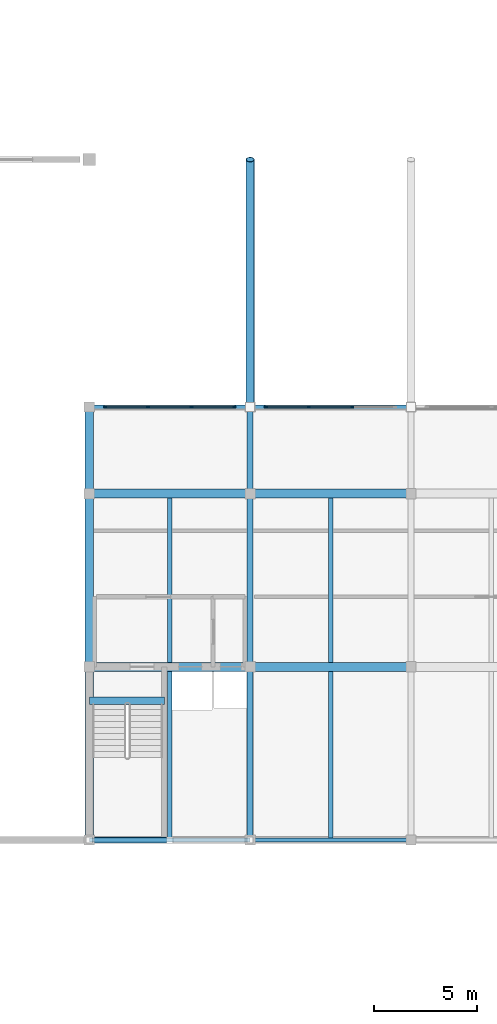
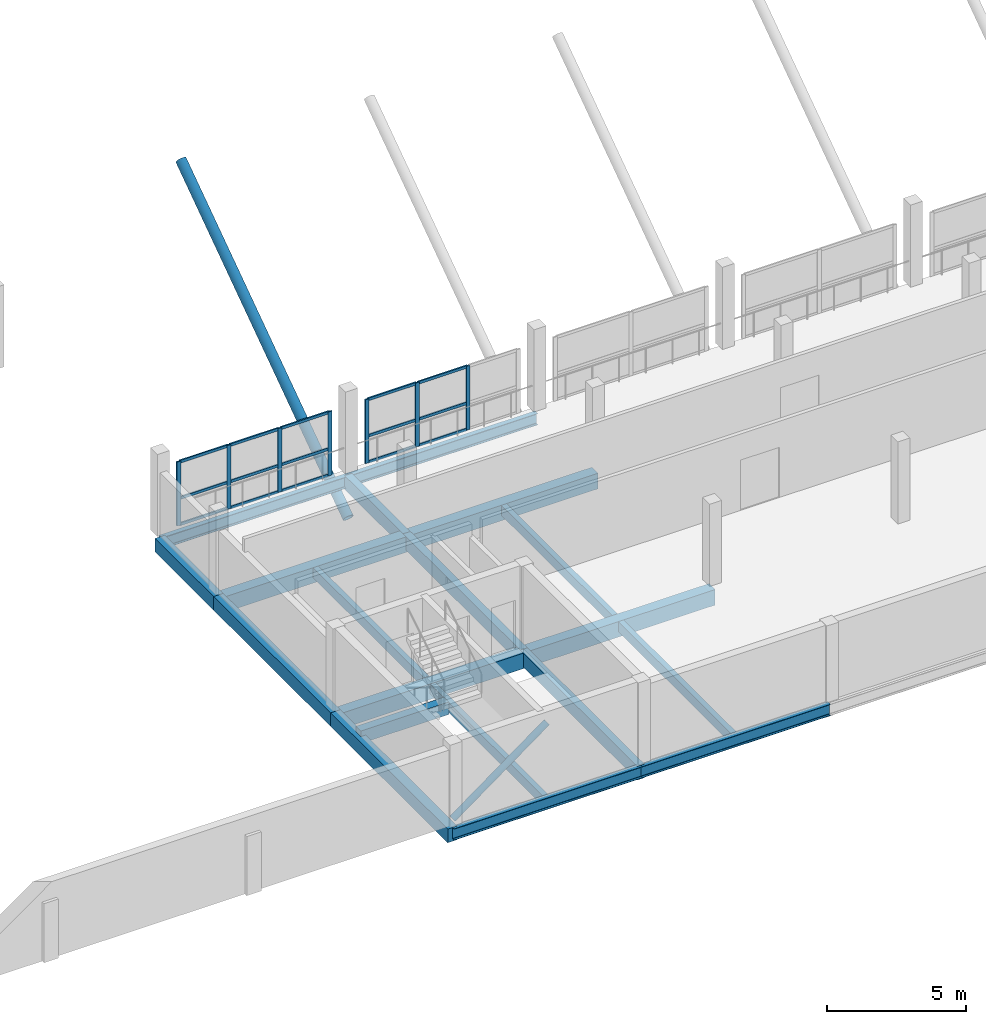
# One storey, part 25 of 51: 24 members, 19 beams, 2 elements without a shape of their own.
"""IFC4 building model written with IfcOpenShell, lengths in metres."""

from ifc_helpers import new_model, si_unit, direction, frame, origin, origin_2d, place, context, subcontext, project, spatial, rectangle, hollow_circle, i_section, extrude, material, material_profile, profile_set, type_object, element, aggregate, save


model = new_model("IFC4")

# Units and contexts
model_context = context("Model", 3, precision=1e-05, world=origin(), true_north=direction((0.0, 1.0)))
body_context = subcontext(model_context, "Body", "Model", "MODEL_VIEW")
ifc_project = project(units=[si_unit("LENGTHUNIT", "METRE"), si_unit("AREAUNIT", "SQUARE_METRE"), si_unit("VOLUMEUNIT", "CUBIC_METRE"), si_unit("PLANEANGLEUNIT", "RADIAN"), si_unit("MASSUNIT", "GRAM", prefix="KILO")], contexts=[model_context])

# Site, building, storey
site_placement = place(None, origin())
site = spatial("IfcSite", under=ifc_project, at=site_placement, CompositionType="ELEMENT")
building_placement = place(site_placement, origin())
building = spatial("IfcBuilding", under=site, at=building_placement, Name="Vharandega Faculty of Natural Sciences", CompositionType="ELEMENT")
storey_placement = place(building_placement, frame((0.0, 0.0, 14.39990234375)))
storey = spatial("IfcBuildingStorey", under=building, at=storey_placement, Name="L03", CompositionType="ELEMENT", Elevation=14.39990234375)

# Curtain wall, members
ifc_material_1 = material(Name="Aluminium and solar-control glass curtain wall", Category="aluminium")
curtain_wall_type_1 = type_object("IfcCurtainWallType", Name="Unitised Curtain Wall System CW-15", PredefinedType="NOTDEFINED", material=ifc_material_1)
curtain_wall_1_placement = place(storey_placement, origin())
curtain_wall_1 = element("IfcCurtainWall", 1, at=curtain_wall_1_placement, inside=storey, type_object=curtain_wall_type_1, Name="Curtain Wall CW-L03-014", PredefinedType="NOTDEFINED")
ifc_material_2 = material(Name="Thermally broken aluminium 6063-T6", Category="aluminium")
ifc_material_profile_1 = material_profile(ifc_material_2, rectangle(XDim=0.06005859375, YDim=0.159912109375, at=origin_2d()), Name="ALU 60x160")
ifc_profile_set_1 = profile_set([ifc_material_profile_1], Name="Thermally broken aluminium 6063-T6")
member_type_1 = type_object("IfcMemberType", Name="CW Mullion 60x160", PredefinedType="MULLION", material=ifc_profile_set_1)
member_1_placement = place(storey_placement, frame((115.570068359375, 85.0, 0.0), z_axis=(0.0, 0.0, 1.0), x_axis=(0.0, 1.0, 0.0)))
member_1 = element("IfcMember", 2, at=member_1_placement, type_object=member_type_1, Name="CW-15 mullion 1", PredefinedType="MULLION", context=body_context, shape_type="SweptSolid", body=[
    extrude(rectangle(XDim=0.06005859375, YDim=0.159912109375, at=origin_2d()), origin(), (0.0, 0.0, 1.0), 2.800048828125),
])
member_2_placement = place(storey_placement, frame((117.646728515625, 85.0, 0.0), z_axis=(0.0, 0.0, 1.0), x_axis=(0.0, 1.0, 0.0)))
member_2 = element("IfcMember", 3, at=member_2_placement, type_object=member_type_1, Name="CW-15 mullion 2", PredefinedType="MULLION", context=body_context, shape_type="SweptSolid", body=[
    extrude(rectangle(XDim=0.06005859375, YDim=0.159912109375, at=origin_2d()), origin(), (0.0, 0.0, 1.0), 2.800048828125),
])
member_3_placement = place(storey_placement, frame((119.75341796875, 85.0, 0.0), z_axis=(0.0, 0.0, 1.0), x_axis=(0.0, 1.0, 0.0)))
member_3 = element("IfcMember", 4, at=member_3_placement, type_object=member_type_1, Name="CW-15 mullion 3", PredefinedType="MULLION", context=body_context, shape_type="SweptSolid", body=[
    extrude(rectangle(XDim=0.06005859375, YDim=0.159912109375, at=origin_2d()), origin(), (0.0, 0.0, 1.0), 2.800048828125),
])
member_4_placement = place(storey_placement, frame((121.830078125, 85.0, 0.0), z_axis=(0.0, 0.0, 1.0), x_axis=(0.0, 1.0, 0.0)))
member_4 = element("IfcMember", 5, at=member_4_placement, type_object=member_type_1, Name="CW-15 mullion 4", PredefinedType="MULLION", context=body_context, shape_type="SweptSolid", body=[
    extrude(rectangle(XDim=0.06005859375, YDim=0.159912109375, at=origin_2d()), origin(), (0.0, 0.0, 1.0), 2.800048828125),
])

ifc_material_3 = material(Name="Aluminium and solar-control glass curtain wall", Category="aluminium")
curtain_wall_type_2 = type_object("IfcCurtainWallType", Name="Unitised Curtain Wall System CW-16", PredefinedType="NOTDEFINED", material=ifc_material_3)
curtain_wall_2_placement = place(storey_placement, origin())
curtain_wall_2 = element("IfcCurtainWall", 6, at=curtain_wall_2_placement, inside=storey, type_object=curtain_wall_type_2, Name="Curtain Wall CW-L03-015", PredefinedType="NOTDEFINED")
member_5_placement = place(storey_placement, frame((123.3701171875, 85.0, 0.0), z_axis=(0.0, 0.0, 1.0), x_axis=(0.0, 1.0, 0.0)))
member_5 = element("IfcMember", 7, at=member_5_placement, type_object=member_type_1, Name="CW-16 mullion 1", PredefinedType="MULLION", context=body_context, shape_type="SweptSolid", body=[
    extrude(rectangle(XDim=0.06005859375, YDim=0.159912109375, at=origin_2d()), origin(), (0.0, 0.0, 1.0), 2.800048828125),
])
member_6_placement = place(storey_placement, frame((125.44677734375, 85.0, 0.0), z_axis=(0.0, 0.0, 1.0), x_axis=(0.0, 1.0, 0.0)))
member_6 = element("IfcMember", 8, at=member_6_placement, type_object=member_type_1, Name="CW-16 mullion 2", PredefinedType="MULLION", context=body_context, shape_type="SweptSolid", body=[
    extrude(rectangle(XDim=0.06005859375, YDim=0.159912109375, at=origin_2d()), origin(), (0.0, 0.0, 1.0), 2.800048828125),
])
member_7_placement = place(storey_placement, frame((127.55322265625, 85.0, 0.0), z_axis=(0.0, 0.0, 1.0), x_axis=(0.0, 1.0, 0.0)))
member_7 = element("IfcMember", 9, at=member_7_placement, type_object=member_type_1, Name="CW-16 mullion 3", PredefinedType="MULLION", context=body_context, shape_type="SweptSolid", body=[
    extrude(rectangle(XDim=0.06005859375, YDim=0.159912109375, at=origin_2d()), origin(), (0.0, 0.0, 1.0), 2.800048828125),
])

# Member
ifc_material_4 = material(Name="Thermally broken aluminium 6063-T6", Category="aluminium")
ifc_material_profile_2 = material_profile(ifc_material_4, rectangle(XDim=0.06005859375, YDim=0.1201171875, at=origin_2d()), Name="ALU 60x120")
ifc_profile_set_2 = profile_set([ifc_material_profile_2], Name="Thermally broken aluminium 6063-T6")
member_type_2 = type_object("IfcMemberType", Name="CW Transom 60x120", PredefinedType="USERDEFINED", material=ifc_profile_set_2)
member_8_placement = place(storey_placement, frame((115.60009765625, 85.0, 0.030029296875), z_axis=(1.0, 0.0, 0.0), x_axis=(0.0, 1.0, 0.0)))
member_8 = element("IfcMember", 10, at=member_8_placement, type_object=member_type_2, Name="CW-15 transom 1.1", ObjectType="TRANSOM", PredefinedType="USERDEFINED", context=body_context, shape_type="SweptSolid", body=[
    extrude(rectangle(XDim=0.06005859375, YDim=0.1201171875, at=origin_2d()), origin(), (0.0, 0.0, 1.0), 2.0166015625),
])

member_9_placement = place(storey_placement, frame((115.60009765625, 85.0, 1.176025390625), z_axis=(1.0, 0.0, 0.0), x_axis=(0.0, 1.0, 0.0)))
member_9 = element("IfcMember", 11, at=member_9_placement, type_object=member_type_2, Name="CW-15 transom 1.2", ObjectType="TRANSOM", PredefinedType="USERDEFINED", context=body_context, shape_type="SweptSolid", body=[
    extrude(rectangle(XDim=0.06005859375, YDim=0.1201171875, at=origin_2d()), origin(), (0.0, 0.0, 1.0), 2.0166015625),
])

member_10_placement = place(storey_placement, frame((115.60009765625, 85.0, 2.77001953125), z_axis=(1.0, 0.0, 0.0), x_axis=(0.0, 1.0, 0.0)))
member_10 = element("IfcMember", 12, at=member_10_placement, type_object=member_type_2, Name="CW-15 transom 1.3", ObjectType="TRANSOM", PredefinedType="USERDEFINED", context=body_context, shape_type="SweptSolid", body=[
    extrude(rectangle(XDim=0.06005859375, YDim=0.1201171875, at=origin_2d()), origin(), (0.0, 0.0, 1.0), 2.0166015625),
])

member_11_placement = place(storey_placement, frame((117.6767578125, 85.0, 0.030029296875), z_axis=(1.0, 0.0, 0.0), x_axis=(0.0, 1.0, 0.0)))
member_11 = element("IfcMember", 13, at=member_11_placement, type_object=member_type_2, Name="CW-15 transom 2.1", ObjectType="TRANSOM", PredefinedType="USERDEFINED", context=body_context, shape_type="SweptSolid", body=[
    extrude(rectangle(XDim=0.06005859375, YDim=0.1201171875, at=origin_2d()), origin(), (0.0, 0.0, 1.0), 2.046630859375),
])

member_12_placement = place(storey_placement, frame((117.6767578125, 85.0, 1.176025390625), z_axis=(1.0, 0.0, 0.0), x_axis=(0.0, 1.0, 0.0)))
member_12 = element("IfcMember", 14, at=member_12_placement, type_object=member_type_2, Name="CW-15 transom 2.2", ObjectType="TRANSOM", PredefinedType="USERDEFINED", context=body_context, shape_type="SweptSolid", body=[
    extrude(rectangle(XDim=0.06005859375, YDim=0.1201171875, at=origin_2d()), origin(), (0.0, 0.0, 1.0), 2.046630859375),
])

member_13_placement = place(storey_placement, frame((117.6767578125, 85.0, 2.77001953125), z_axis=(1.0, 0.0, 0.0), x_axis=(0.0, 1.0, 0.0)))
member_13 = element("IfcMember", 15, at=member_13_placement, type_object=member_type_2, Name="CW-15 transom 2.3", ObjectType="TRANSOM", PredefinedType="USERDEFINED", context=body_context, shape_type="SweptSolid", body=[
    extrude(rectangle(XDim=0.06005859375, YDim=0.1201171875, at=origin_2d()), origin(), (0.0, 0.0, 1.0), 2.046630859375),
])

member_14_placement = place(storey_placement, frame((119.783447265625, 85.0, 0.030029296875), z_axis=(1.0, 0.0, 0.0), x_axis=(0.0, 1.0, 0.0)))
member_14 = element("IfcMember", 16, at=member_14_placement, type_object=member_type_2, Name="CW-15 transom 3.1", ObjectType="TRANSOM", PredefinedType="USERDEFINED", context=body_context, shape_type="SweptSolid", body=[
    extrude(rectangle(XDim=0.06005859375, YDim=0.1201171875, at=origin_2d()), origin(), (0.0, 0.0, 1.0), 2.0166015625),
])

member_15_placement = place(storey_placement, frame((119.783447265625, 85.0, 1.176025390625), z_axis=(1.0, 0.0, 0.0), x_axis=(0.0, 1.0, 0.0)))
member_15 = element("IfcMember", 17, at=member_15_placement, type_object=member_type_2, Name="CW-15 transom 3.2", ObjectType="TRANSOM", PredefinedType="USERDEFINED", context=body_context, shape_type="SweptSolid", body=[
    extrude(rectangle(XDim=0.06005859375, YDim=0.1201171875, at=origin_2d()), origin(), (0.0, 0.0, 1.0), 2.0166015625),
])

member_16_placement = place(storey_placement, frame((119.783447265625, 85.0, 2.77001953125), z_axis=(1.0, 0.0, 0.0), x_axis=(0.0, 1.0, 0.0)))
member_16 = element("IfcMember", 18, at=member_16_placement, type_object=member_type_2, Name="CW-15 transom 3.3", ObjectType="TRANSOM", PredefinedType="USERDEFINED", context=body_context, shape_type="SweptSolid", body=[
    extrude(rectangle(XDim=0.06005859375, YDim=0.1201171875, at=origin_2d()), origin(), (0.0, 0.0, 1.0), 2.0166015625),
])

aggregate(curtain_wall_1, [member_1, member_2, member_3, member_4, member_8, member_9, member_10, member_11, member_12, member_13, member_14, member_15, member_16])

member_17_placement = place(storey_placement, frame((123.39990234375, 85.0, 0.030029296875), z_axis=(1.0, 0.0, 0.0), x_axis=(0.0, 1.0, 0.0)))
member_17 = element("IfcMember", 19, at=member_17_placement, type_object=member_type_2, Name="CW-16 transom 1.1", ObjectType="TRANSOM", PredefinedType="USERDEFINED", context=body_context, shape_type="SweptSolid", body=[
    extrude(rectangle(XDim=0.06005859375, YDim=0.1201171875, at=origin_2d()), origin(), (0.0, 0.0, 1.0), 2.016845703125),
])

member_18_placement = place(storey_placement, frame((123.39990234375, 85.0, 1.176025390625), z_axis=(1.0, 0.0, 0.0), x_axis=(0.0, 1.0, 0.0)))
member_18 = element("IfcMember", 20, at=member_18_placement, type_object=member_type_2, Name="CW-16 transom 1.2", ObjectType="TRANSOM", PredefinedType="USERDEFINED", context=body_context, shape_type="SweptSolid", body=[
    extrude(rectangle(XDim=0.06005859375, YDim=0.1201171875, at=origin_2d()), origin(), (0.0, 0.0, 1.0), 2.016845703125),
])

member_19_placement = place(storey_placement, frame((123.39990234375, 85.0, 2.77001953125), z_axis=(1.0, 0.0, 0.0), x_axis=(0.0, 1.0, 0.0)))
member_19 = element("IfcMember", 21, at=member_19_placement, type_object=member_type_2, Name="CW-16 transom 1.3", ObjectType="TRANSOM", PredefinedType="USERDEFINED", context=body_context, shape_type="SweptSolid", body=[
    extrude(rectangle(XDim=0.06005859375, YDim=0.1201171875, at=origin_2d()), origin(), (0.0, 0.0, 1.0), 2.016845703125),
])

member_20_placement = place(storey_placement, frame((125.4765625, 85.0, 0.030029296875), z_axis=(1.0, 0.0, 0.0), x_axis=(0.0, 1.0, 0.0)))
member_20 = element("IfcMember", 22, at=member_20_placement, type_object=member_type_2, Name="CW-16 transom 2.1", ObjectType="TRANSOM", PredefinedType="USERDEFINED", context=body_context, shape_type="SweptSolid", body=[
    extrude(rectangle(XDim=0.06005859375, YDim=0.1201171875, at=origin_2d()), origin(), (0.0, 0.0, 1.0), 2.046875),
])

member_21_placement = place(storey_placement, frame((125.4765625, 85.0, 1.176025390625), z_axis=(1.0, 0.0, 0.0), x_axis=(0.0, 1.0, 0.0)))
member_21 = element("IfcMember", 23, at=member_21_placement, type_object=member_type_2, Name="CW-16 transom 2.2", ObjectType="TRANSOM", PredefinedType="USERDEFINED", context=body_context, shape_type="SweptSolid", body=[
    extrude(rectangle(XDim=0.06005859375, YDim=0.1201171875, at=origin_2d()), origin(), (0.0, 0.0, 1.0), 2.046875),
])

member_22_placement = place(storey_placement, frame((125.4765625, 85.0, 2.77001953125), z_axis=(1.0, 0.0, 0.0), x_axis=(0.0, 1.0, 0.0)))
member_22 = element("IfcMember", 24, at=member_22_placement, type_object=member_type_2, Name="CW-16 transom 2.3", ObjectType="TRANSOM", PredefinedType="USERDEFINED", context=body_context, shape_type="SweptSolid", body=[
    extrude(rectangle(XDim=0.06005859375, YDim=0.1201171875, at=origin_2d()), origin(), (0.0, 0.0, 1.0), 2.046875),
])

aggregate(curtain_wall_2, [member_5, member_6, member_7, member_17, member_18, member_19, member_20, member_21, member_22])

# Beams
ifc_material_5 = material(Name="Glulam GL28h", Category="wood")
ifc_material_profile_3 = material_profile(ifc_material_5, rectangle(XDim=0.300048828125, YDim=0.60009765625, at=origin_2d()), Name="GL28h 300x600")
ifc_profile_set_3 = profile_set([ifc_material_profile_3], Name="Glulam GL28h")
beam_type_1 = type_object("IfcBeamType", Name="Glulam Floor Beam 300x600", PredefinedType="BEAM", material=ifc_profile_set_3)
beam_1_placement = place(storey_placement, frame((122.60009765625, 64.0, -0.539794921875), z_axis=(0.0, 1.0, 0.0), x_axis=(-1.0, 0.0, 0.0)))
element("IfcBeam", 25, at=beam_1_placement, inside=storey, type_object=beam_type_1, Name="Beam L03 16/J-K", PredefinedType="BEAM", context=body_context, shape_type="SweptSolid", body=[
    extrude(rectangle(XDim=0.300048828125, YDim=0.60009765625, at=origin_2d()), origin(), (0.0, 0.0, 1.0), 8.39990234375),
])
beam_2_placement = place(storey_placement, frame((122.60009765625, 72.39990234375, -0.539794921875), z_axis=(0.0, 1.0, 0.0), x_axis=(-1.0, 0.0, 0.0)))
element("IfcBeam", 26, at=beam_2_placement, inside=storey, type_object=beam_type_1, Name="Beam L03 16/K-L", PredefinedType="BEAM", context=body_context, shape_type="SweptSolid", body=[
    extrude(rectangle(XDim=0.300048828125, YDim=0.60009765625, at=origin_2d()), origin(), (0.0, 0.0, 1.0), 8.400146484375),
])
beam_3_placement = place(storey_placement, frame((122.60009765625, 80.800048828125, -0.539794921875), z_axis=(0.0, 1.0, 0.0), x_axis=(-1.0, 0.0, 0.0)))
element("IfcBeam", 27, at=beam_3_placement, inside=storey, type_object=beam_type_1, Name="Beam L03 16/L-M", PredefinedType="BEAM", context=body_context, shape_type="SweptSolid", body=[
    extrude(rectangle(XDim=0.300048828125, YDim=0.60009765625, at=origin_2d()), origin(), (0.0, 0.0, 1.0), 4.199951171875),
])
ifc_material_6 = material(Name="Glulam GL32h", Category="wood")
ifc_material_profile_4 = material_profile(ifc_material_6, rectangle(XDim=0.43994140625, YDim=0.679931640625, at=origin_2d()), Name="GL32h 440x680")
ifc_profile_set_4 = profile_set([ifc_material_profile_4], Name="Glulam GL32h")
beam_type_2 = type_object("IfcBeamType", Name="Glulam Girder 440x680", PredefinedType="BEAM", material=ifc_profile_set_4)
beam_4_placement = place(storey_placement, frame((114.800048828125, 72.39990234375, -0.579833984375), z_axis=(1.0, 0.0, 0.0), x_axis=(0.0, 1.0, 0.0)))
element("IfcBeam", 28, at=beam_4_placement, inside=storey, type_object=beam_type_2, Name="Beam L03 K/15-16", PredefinedType="BEAM", context=body_context, shape_type="SweptSolid", body=[
    extrude(rectangle(XDim=0.43994140625, YDim=0.679931640625, at=origin_2d()), origin(), (0.0, 0.0, 1.0), 7.800048828125),
])
beam_5_placement = place(storey_placement, frame((122.60009765625, 72.39990234375, -0.579833984375), z_axis=(1.0, 0.0, 0.0), x_axis=(0.0, 1.0, 0.0)))
element("IfcBeam", 29, at=beam_5_placement, inside=storey, type_object=beam_type_2, Name="Beam L03 K/16-17", PredefinedType="BEAM", context=body_context, shape_type="SweptSolid", body=[
    extrude(rectangle(XDim=0.43994140625, YDim=0.679931640625, at=origin_2d()), origin(), (0.0, 0.0, 1.0), 7.7998046875),
])
beam_6_placement = place(storey_placement, frame((114.800048828125, 80.800048828125, -0.579833984375), z_axis=(1.0, 0.0, 0.0), x_axis=(0.0, 1.0, 0.0)))
element("IfcBeam", 30, at=beam_6_placement, inside=storey, type_object=beam_type_2, Name="Beam L03 L/15-16", PredefinedType="BEAM", context=body_context, shape_type="SweptSolid", body=[
    extrude(rectangle(XDim=0.43994140625, YDim=0.679931640625, at=origin_2d()), origin(), (0.0, 0.0, 1.0), 7.800048828125),
])
beam_7_placement = place(storey_placement, frame((122.60009765625, 80.800048828125, -0.579833984375), z_axis=(1.0, 0.0, 0.0), x_axis=(0.0, 1.0, 0.0)))
element("IfcBeam", 31, at=beam_7_placement, inside=storey, type_object=beam_type_2, Name="Beam L03 L/16-17", PredefinedType="BEAM", context=body_context, shape_type="SweptSolid", body=[
    extrude(rectangle(XDim=0.43994140625, YDim=0.679931640625, at=origin_2d()), origin(), (0.0, 0.0, 1.0), 7.7998046875),
])
ifc_material_7 = material(Name="Glulam GL28h", Category="wood")
ifc_material_profile_5 = material_profile(ifc_material_7, rectangle(XDim=0.219970703125, YDim=0.43994140625, at=origin_2d()), Name="GL28h 220x440")
ifc_profile_set_5 = profile_set([ifc_material_profile_5], Name="Glulam GL28h")
beam_type_3 = type_object("IfcBeamType", Name="Glulam Secondary Joist 220x440", PredefinedType="JOIST", material=ifc_profile_set_5)
beam_8_placement = place(storey_placement, frame((118.699951171875, 64.10009765625, -0.4599609375), z_axis=(0.0, 1.0, 0.0), x_axis=(-1.0, 0.0, 0.0)))
element("IfcBeam", 32, at=beam_8_placement, inside=storey, type_object=beam_type_3, Name="Secondary Joist L03 15-16/J-K", PredefinedType="JOIST", context=body_context, shape_type="SweptSolid", body=[
    extrude(rectangle(XDim=0.219970703125, YDim=0.43994140625, at=origin_2d()), origin(), (0.0, 0.0, 1.0), 8.079833984375),
])
beam_9_placement = place(storey_placement, frame((118.699951171875, 72.6201171875, -0.4599609375), z_axis=(0.0, 1.0, 0.0), x_axis=(-1.0, 0.0, 0.0)))
element("IfcBeam", 33, at=beam_9_placement, inside=storey, type_object=beam_type_3, Name="Secondary Joist L03 15-16/K-L", PredefinedType="JOIST", context=body_context, shape_type="SweptSolid", body=[
    extrude(rectangle(XDim=0.219970703125, YDim=0.43994140625, at=origin_2d()), origin(), (0.0, 0.0, 1.0), 7.9599609375),
])
beam_10_placement = place(storey_placement, frame((126.5, 64.10009765625, -0.4599609375), z_axis=(0.0, 1.0, 0.0), x_axis=(-1.0, 0.0, 0.0)))
element("IfcBeam", 34, at=beam_10_placement, inside=storey, type_object=beam_type_3, Name="Secondary Joist L03 16-17/J-K", PredefinedType="JOIST", context=body_context, shape_type="SweptSolid", body=[
    extrude(rectangle(XDim=0.219970703125, YDim=0.43994140625, at=origin_2d()), origin(), (0.0, 0.0, 1.0), 8.079833984375),
])
beam_11_placement = place(storey_placement, frame((126.5, 72.6201171875, -0.4599609375), z_axis=(0.0, 1.0, 0.0), x_axis=(-1.0, 0.0, 0.0)))
element("IfcBeam", 35, at=beam_11_placement, inside=storey, type_object=beam_type_3, Name="Secondary Joist L03 16-17/K-L", PredefinedType="JOIST", context=body_context, shape_type="SweptSolid", body=[
    extrude(rectangle(XDim=0.219970703125, YDim=0.43994140625, at=origin_2d()), origin(), (0.0, 0.0, 1.0), 7.9599609375),
])
ifc_material_8 = material(Name="Glulam GL32h", Category="wood")
ifc_material_profile_6 = material_profile(ifc_material_8, rectangle(XDim=0.39990234375, YDim=0.60009765625, at=origin_2d()), Name="GL32h 400x600")
ifc_profile_set_6 = profile_set([ifc_material_profile_6], Name="Glulam GL32h")
beam_type_4 = type_object("IfcBeamType", Name="Glulam Spine Girder 400x600", PredefinedType="BEAM", material=ifc_profile_set_6)
beam_12_placement = place(storey_placement, frame((114.800048828125, 64.0, -0.539794921875), z_axis=(0.0, 1.0, 0.0), x_axis=(-1.0, 0.0, 0.0)))
element("IfcBeam", 36, at=beam_12_placement, inside=storey, type_object=beam_type_4, Name="Beam L03 15/J-K", PredefinedType="BEAM", context=body_context, shape_type="SweptSolid", body=[
    extrude(rectangle(XDim=0.39990234375, YDim=0.60009765625, at=origin_2d()), origin(), (0.0, 0.0, 1.0), 8.39990234375),
])
beam_13_placement = place(storey_placement, frame((114.800048828125, 72.39990234375, -0.539794921875), z_axis=(0.0, 1.0, 0.0), x_axis=(-1.0, 0.0, 0.0)))
element("IfcBeam", 37, at=beam_13_placement, inside=storey, type_object=beam_type_4, Name="Beam L03 15/K-L", PredefinedType="BEAM", context=body_context, shape_type="SweptSolid", body=[
    extrude(rectangle(XDim=0.39990234375, YDim=0.60009765625, at=origin_2d()), origin(), (0.0, 0.0, 1.0), 8.400146484375),
])
beam_14_placement = place(storey_placement, frame((114.800048828125, 80.800048828125, -0.539794921875), z_axis=(0.0, 1.0, 0.0), x_axis=(-1.0, 0.0, 0.0)))
element("IfcBeam", 38, at=beam_14_placement, inside=storey, type_object=beam_type_4, Name="Beam L03 15/L-M", PredefinedType="BEAM", context=body_context, shape_type="SweptSolid", body=[
    extrude(rectangle(XDim=0.39990234375, YDim=0.60009765625, at=origin_2d()), origin(), (0.0, 0.0, 1.0), 4.199951171875),
])

# Members
ifc_material_9 = material(Name="Steel S355", Category="steel")
ifc_material_profile_7 = material_profile(ifc_material_9, hollow_circle(Radius=0.136474609375, WallThickness=0.01611328125, at=origin_2d()), Name="CHS 273x16")
ifc_profile_set_7 = profile_set([ifc_material_profile_7], Name="Steel S355")
member_type_3 = type_object("IfcMemberType", Name="Perimeter Chevron Brace CHS 273", PredefinedType="BRACE", material=ifc_profile_set_7)
member_23_placement = place(storey_placement, frame((114.800048828125, 64.0, 0.150146484375), z_axis=(0.80641141558, 0.0, 0.591354909359), x_axis=(0.0, 1.0, 0.0)))
element("IfcMember", 39, at=member_23_placement, inside=storey, type_object=member_type_3, Name="Chevron Brace J L03-1", PredefinedType="BRACE", context=body_context, shape_type="SweptSolid", body=[
    extrude(hollow_circle(Radius=0.136474609375, WallThickness=0.01611328125, at=origin_2d()), origin(), (0.0, 0.0, 1.0), 4.836181640625),
])
ifc_material_10 = material(Name="Steel S355", Category="steel")
ifc_material_profile_8 = material_profile(ifc_material_10, hollow_circle(Radius=0.203125, WallThickness=0.02001953125, at=origin_2d()), Name="CHS 406.4x20")
ifc_profile_set_8 = profile_set([ifc_material_profile_8], Name="Steel S355")
member_type_4 = type_object("IfcMemberType", Name="Raked Cantilever V-Strut CHS 406", PredefinedType="STRUT", material=ifc_profile_set_8)
member_24_placement = place(storey_placement, frame((122.60009765625, 85.0, -2.139892578125), z_axis=(0.0, 0.819235052632, 0.57345786989), x_axis=(-1.0, 0.0, 0.0)))
element("IfcMember", 40, at=member_24_placement, inside=storey, type_object=member_type_4, Name="Cantilever Raked Strut Grid 16", PredefinedType="STRUT", context=body_context, shape_type="SweptSolid", body=[
    extrude(hollow_circle(Radius=0.203125, WallThickness=0.02001953125, at=origin_2d()), origin(), (0.0, 0.0, 1.0), 14.647705078125),
])

# Beams
ifc_material_11 = material(Name="Concrete C40/50", Category="concrete")
ifc_material_profile_9 = material_profile(ifc_material_11, rectangle(XDim=0.35009765625, YDim=0.550048828125, at=origin_2d()), Name="RC 350x550")
ifc_profile_set_9 = profile_set([ifc_material_profile_9], Name="Concrete C40/50")
beam_type_5 = type_object("IfcBeamType", Name="Stair Header Trimmer Beam 350x550", PredefinedType="BEAM", material=ifc_profile_set_9)
beam_15_placement = place(storey_placement, frame((114.800048828125, 70.75, -0.27490234375), z_axis=(1.0, 0.0, 0.0), x_axis=(0.0, 1.0, 0.0)))
element("IfcBeam", 41, at=beam_15_placement, inside=storey, type_object=beam_type_5, Name="Stair Landing Trimmer Beam C1 L03", PredefinedType="BEAM", context=body_context, shape_type="SweptSolid", body=[
    extrude(rectangle(XDim=0.35009765625, YDim=0.550048828125, at=origin_2d()), origin(), (0.0, 0.0, 1.0), 3.639892578125),
])
ifc_material_12 = material(Name="Steel S355", Category="steel")
ifc_material_profile_10 = material_profile(ifc_material_12, i_section(OverallWidth=0.199951171875, OverallDepth=0.5, WebThickness=0.01025390625, FlangeThickness=0.01611328125, FilletRadius=0.02099609375, at=origin_2d()), Name="IPE 500")
ifc_profile_set_10 = profile_set([ifc_material_profile_10], Name="Steel S355")
beam_type_6 = type_object("IfcBeamType", Name="Steel Spandrel Beam IPE 500", PredefinedType="SPANDREL", material=ifc_profile_set_10)
beam_16_placement = place(storey_placement, frame((114.800048828125, 64.0, -0.489990234375), z_axis=(1.0, 0.0, 0.0), x_axis=(0.0, 1.0, 0.0)))
element("IfcBeam", 42, at=beam_16_placement, inside=storey, type_object=beam_type_6, Name="Beam L03 J/15-16", PredefinedType="SPANDREL", context=body_context, shape_type="SweptSolid", body=[
    extrude(i_section(OverallWidth=0.199951171875, OverallDepth=0.5, WebThickness=0.01025390625, FlangeThickness=0.01611328125, FilletRadius=0.02099609375, at=origin_2d()), origin(), (0.0, 0.0, 1.0), 7.800048828125),
])
beam_17_placement = place(storey_placement, frame((122.60009765625, 64.0, -0.489990234375), z_axis=(1.0, 0.0, 0.0), x_axis=(0.0, 1.0, 0.0)))
element("IfcBeam", 43, at=beam_17_placement, inside=storey, type_object=beam_type_6, Name="Beam L03 J/16-17", PredefinedType="SPANDREL", context=body_context, shape_type="SweptSolid", body=[
    extrude(i_section(OverallWidth=0.199951171875, OverallDepth=0.5, WebThickness=0.01025390625, FlangeThickness=0.01611328125, FilletRadius=0.02099609375, at=origin_2d()), origin(), (0.0, 0.0, 1.0), 7.7998046875),
])
beam_18_placement = place(storey_placement, frame((114.800048828125, 85.0, -0.489990234375), z_axis=(1.0, 0.0, 0.0), x_axis=(0.0, 1.0, 0.0)))
element("IfcBeam", 44, at=beam_18_placement, inside=storey, type_object=beam_type_6, Name="Beam L03 M/15-16", PredefinedType="SPANDREL", context=body_context, shape_type="SweptSolid", body=[
    extrude(i_section(OverallWidth=0.199951171875, OverallDepth=0.5, WebThickness=0.01025390625, FlangeThickness=0.01611328125, FilletRadius=0.02099609375, at=origin_2d()), origin(), (0.0, 0.0, 1.0), 7.800048828125),
])
beam_19_placement = place(storey_placement, frame((122.60009765625, 85.0, -0.489990234375), z_axis=(1.0, 0.0, 0.0), x_axis=(0.0, 1.0, 0.0)))
element("IfcBeam", 45, at=beam_19_placement, inside=storey, type_object=beam_type_6, Name="Beam L03 M/16-17", PredefinedType="SPANDREL", context=body_context, shape_type="SweptSolid", body=[
    extrude(i_section(OverallWidth=0.199951171875, OverallDepth=0.5, WebThickness=0.01025390625, FlangeThickness=0.01611328125, FilletRadius=0.02099609375, at=origin_2d()), origin(), (0.0, 0.0, 1.0), 7.7998046875),
])

save(model, "model.ifc")
